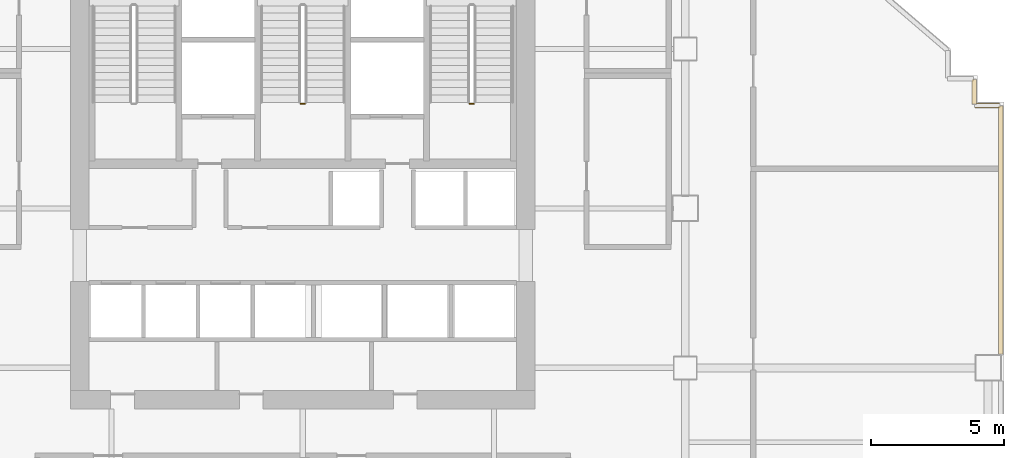
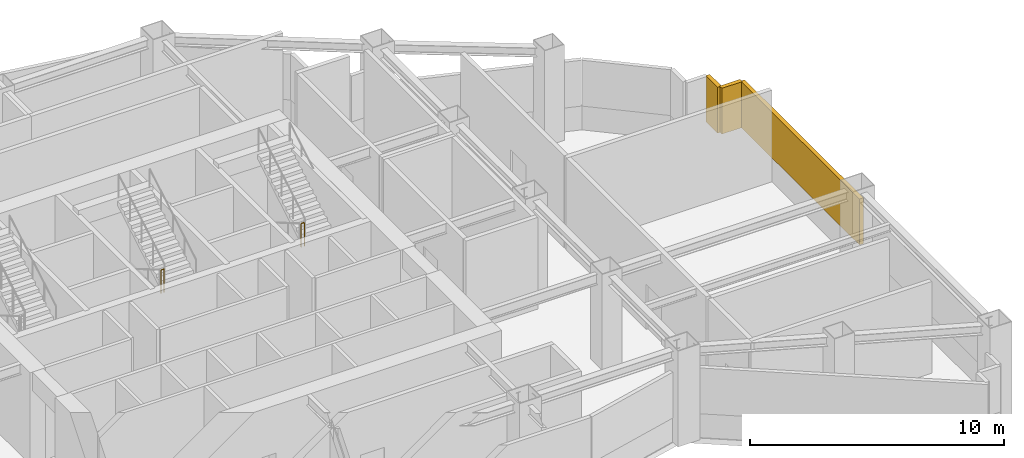
# One storey, part 9 of 12: 3 shading devices, 2 railings.
"""IFC4 building model written with IfcOpenShell, lengths in metres."""

from ifc_helpers import new_model, si_unit, direction, frame, origin, origin_2d, place, context, subcontext, project, spatial, rectangle, circle, extrude, material, type_object, element, save


model = new_model("IFC4")

# Units and contexts
model_context = context("Model", 3, precision=1e-05, world=origin(), true_north=direction((0.0, 1.0)))
body_context = subcontext(model_context, "Body", "Model", "MODEL_VIEW")
ifc_project = project(units=[si_unit("LENGTHUNIT", "METRE"), si_unit("AREAUNIT", "SQUARE_METRE"), si_unit("VOLUMEUNIT", "CUBIC_METRE"), si_unit("PLANEANGLEUNIT", "RADIAN"), si_unit("MASSUNIT", "GRAM", prefix="KILO")], contexts=[model_context])

# Site, building, storey
site_placement = place(None, origin())
site = spatial("IfcSite", under=ifc_project, at=site_placement, CompositionType="ELEMENT")
building_placement = place(site_placement, origin())
building = spatial("IfcBuilding", under=site, at=building_placement, Name="Haolan Belvedere Tower", CompositionType="ELEMENT")
storey_placement = place(building_placement, frame((0.0, 0.0, 136.39990234375)))
storey = spatial("IfcBuildingStorey", under=building, at=storey_placement, Name="L34", CompositionType="ELEMENT", Elevation=136.39990234375)

# Railings
ifc_material_1 = material(Name="Brushed stainless steel 304", Category="steel")
railing_type = type_object("IfcRailingType", Name="RL-STAIR-GRD-1150", PredefinedType="GUARDRAIL", material=ifc_material_1)
railing_1_placement = place(storey_placement, frame((38.330078125, 37.5400390625, 2.300048828125)))
element("IfcRailing", 1, at=railing_1_placement, inside=storey, type_object=railing_type, Name="L34 ST3 stair guard 2", PredefinedType="GUARDRAIL", context=body_context, shape_type="SweptSolid", body=[
    extrude(circle(Radius=0.02392578125, at=origin_2d()), frame((0.0, 0.0, 1.1259765625), z_axis=(1.0, 0.0, 0.0), x_axis=(0.0, 1.0, 0.0)), (0.0, 0.0, 1.0), 0.139892578125),
    extrude(circle(Radius=0.02099609375, at=origin_2d()), origin(), (0.0, 0.0, 1.0), 1.101806640625),
    extrude(circle(Radius=0.02099609375, at=origin_2d()), frame((0.139892578125, 0.0, 0.0)), (0.0, 0.0, 1.0), 1.101806640625),
])
railing_2_placement = place(storey_placement, frame((44.68994140625, 37.5400390625, 2.300048828125)))
element("IfcRailing", 2, at=railing_2_placement, inside=storey, type_object=railing_type, Name="L34 ST2 stair guard 2", PredefinedType="GUARDRAIL", context=body_context, shape_type="SweptSolid", body=[
    extrude(circle(Radius=0.02392578125, at=origin_2d()), frame((0.0, 0.0, 1.1259765625), z_axis=(1.0, 0.0, 0.0), x_axis=(0.0, 1.0, 0.0)), (0.0, 0.0, 1.0), 0.14013671875),
    extrude(circle(Radius=0.02099609375, at=origin_2d()), origin(), (0.0, 0.0, 1.0), 1.101806640625),
    extrude(circle(Radius=0.02099609375, at=origin_2d()), frame((0.14013671875, 0.0, 0.0)), (0.0, 0.0, 1.0), 1.101806640625),
])

# Shading devices
ifc_material_2 = material(Name="Anodised champagne-silver aluminium 6063-T6", Category="aluminium")
shading_device_type = type_object("IfcShadingDeviceType", Name="SHD-LOUV-180", PredefinedType="JALOUSIE", material=ifc_material_2)
shading_device_placement = place(storey_placement, frame((64.679931640625, 32.785888671875, 1.14990234375), z_axis=(0.0, 0.0, 1.0), x_axis=(0.0, 1.0, 0.0)))
element("IfcShadingDevice", 3, at=shading_device_placement, inside=storey, type_object=shading_device_type, Name="L34 refuge storm-proof louvre bank 14.2", PredefinedType="JALOUSIE", context=body_context, shape_type="SweptSolid", body=[
    extrude(rectangle(XDim=9.347900390625, YDim=0.179931640625, at=origin_2d()), origin(), (0.0, 0.0, 1.0), 2.199951171875),
])
for number, where, z_axis, x_axis, name in (
    (4, (64.1650390625, 37.47998046875, 1.14990234375), (0.0, 0.0, 1.0), (-1.0, 0.0, 0.0), "L34 refuge storm-proof louvre bank 15.1"),
    (5, (63.679931640625, 37.9951171875, 1.14990234375), (0.0, 0.0, 1.0), (0.0, 1.0, 0.0), "L34 refuge storm-proof louvre bank 16.1"),
):
    element("IfcShadingDevice", number, at=place(storey_placement, frame(where, z_axis=z_axis, x_axis=x_axis)), inside=storey, type_object=shading_device_type, Name=name, PredefinedType="JALOUSIE", context=body_context, shape_type="SweptSolid", body=[
        extrude(rectangle(XDim=0.929931640625, YDim=0.179931640625, at=origin_2d()), origin(), (0.0, 0.0, 1.0), 2.199951171875),
    ])

save(model, "model.ifc")
